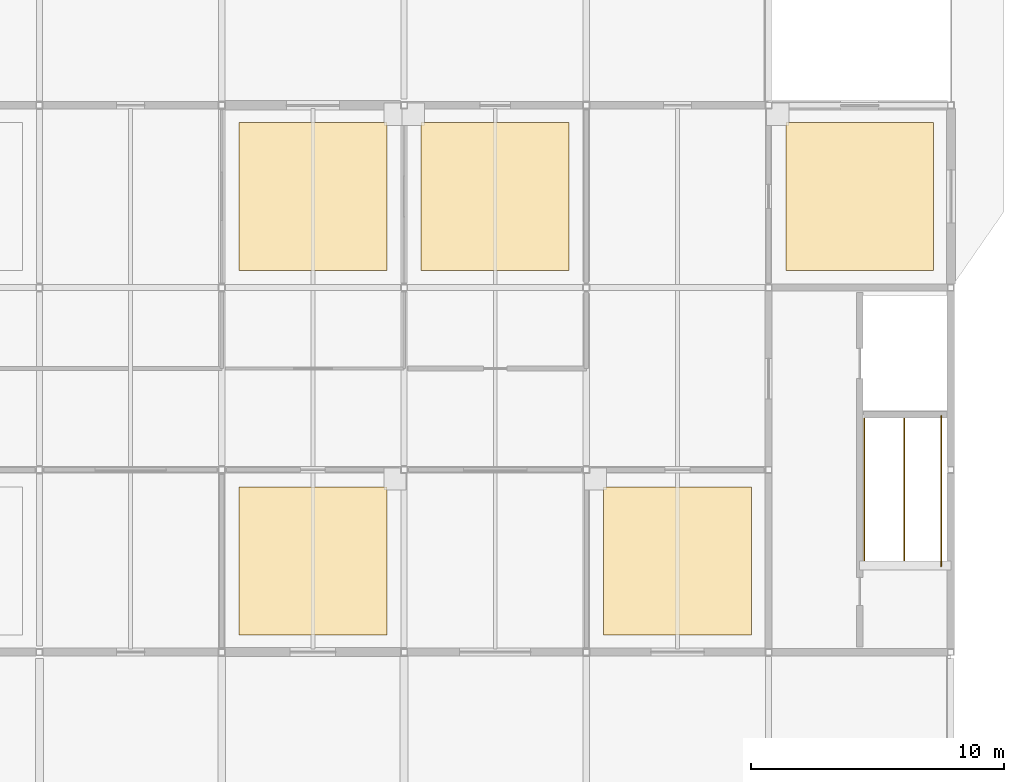
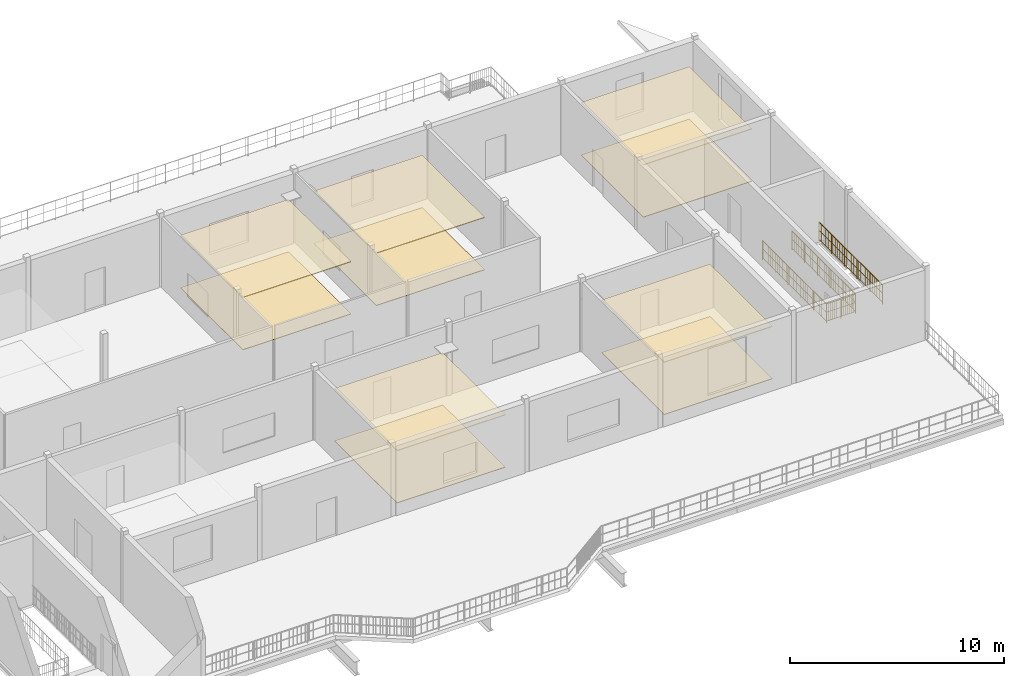
# One storey, part 17 of 18: 10 coverings, 2 railings.
"""IFC4 building model written with IfcOpenShell, lengths in metres."""

from ifc_helpers import new_model, si_unit, direction, frame, origin, origin_2d, place, context, subcontext, project, spatial, polyline, circle, outline, extrude, material, layer, layer_set, type_object, element, save


model = new_model("IFC4")

# Units and contexts
model_context = context("Model", 3, precision=1e-05, world=origin(), true_north=direction((0.0, 1.0)))
body_context = subcontext(model_context, "Body", "Model", "MODEL_VIEW")
ifc_project = project(units=[si_unit("LENGTHUNIT", "METRE"), si_unit("AREAUNIT", "SQUARE_METRE"), si_unit("VOLUMEUNIT", "CUBIC_METRE"), si_unit("PLANEANGLEUNIT", "RADIAN"), si_unit("MASSUNIT", "GRAM", prefix="KILO")], contexts=[model_context])

# Site, building, storey
site_placement = place(None, origin())
site = spatial("IfcSite", under=ifc_project, at=site_placement, CompositionType="ELEMENT")
building_placement = place(site_placement, origin())
building = spatial("IfcBuilding", under=site, at=building_placement, Name="Vesperath Aquatics Centre", CompositionType="ELEMENT")
storey_placement = place(building_placement, frame((0.0, 0.0, 23.39990234375)))
storey = spatial("IfcBuildingStorey", under=building, at=storey_placement, Name="L05", CompositionType="ELEMENT", Elevation=23.39990234375)

# Coverings
ifc_material_1 = material(Name="Perforated moisture-resistant acoustic mineral-fibre ceiling", Category="gypsum")
ifc_layer_1 = layer(ifc_material_1, 0.044921875)
ifc_layer_set_1 = layer_set([ifc_layer_1], Name="Perforated moisture-resistant acoustic mineral-fibre ceiling")
covering_type_1 = type_object("IfcCoveringType", Name="CV-CLG01", PredefinedType="CEILING", material=ifc_layer_set_1)
covering_1_placement = place(storey_placement, frame((0.0, 0.0, 2.97509765625)))
element("IfcCovering", 1, at=covering_1_placement, inside=storey, type_object=covering_type_1, Name="Acoustic Suspended Ceiling CLG1 L05_DOPING", PredefinedType="CEILING", context=body_context, shape_type="SweptSolid", body=[
    extrude(outline(polyline([(144.679931640625, 7.8798828125), (150.52001953125, 7.8798828125), (150.52001953125, 13.719970703125), (144.679931640625, 13.719970703125), (144.679931640625, 7.8798828125)])), origin(), (0.0, 0.0, 1.0), 0.044921875),
])
covering_2_placement = place(storey_placement, frame((0.0, 0.0, 2.97509765625)))
element("IfcCovering", 2, at=covering_2_placement, inside=storey, type_object=covering_type_1, Name="Acoustic Suspended Ceiling CLG1 L05_AWC", PredefinedType="CEILING", context=body_context, shape_type="SweptSolid", body=[
    extrude(outline(polyline([(159.080078125, 7.8798828125), (164.919921875, 7.8798828125), (164.919921875, 13.719970703125), (159.080078125, 13.719970703125), (159.080078125, 7.8798828125)])), origin(), (0.0, 0.0, 1.0), 0.044921875),
])
covering_3_placement = place(storey_placement, frame((0.0, 0.0, 2.97509765625)))
element("IfcCovering", 3, at=covering_3_placement, inside=storey, type_object=covering_type_1, Name="Acoustic Suspended Ceiling CLG1 L05_BOARD", PredefinedType="CEILING", context=body_context, shape_type="SweptSolid", body=[
    extrude(outline(polyline([(144.679931640625, 22.280029296875), (150.52001953125, 22.280029296875), (150.52001953125, 28.1201171875), (144.679931640625, 28.1201171875), (144.679931640625, 22.280029296875)])), origin(), (0.0, 0.0, 1.0), 0.044921875),
])
covering_4_placement = place(storey_placement, frame((0.0, 0.0, 2.97509765625)))
element("IfcCovering", 4, at=covering_4_placement, inside=storey, type_object=covering_type_1, Name="Acoustic Suspended Ceiling CLG1 L05_MWC", PredefinedType="CEILING", context=body_context, shape_type="SweptSolid", body=[
    extrude(outline(polyline([(151.8798828125, 22.280029296875), (157.719970703125, 22.280029296875), (157.719970703125, 28.1201171875), (151.8798828125, 28.1201171875), (151.8798828125, 22.280029296875)])), origin(), (0.0, 0.0, 1.0), 0.044921875),
])
covering_5_placement = place(storey_placement, frame((0.0, 0.0, 2.97509765625)))
element("IfcCovering", 5, at=covering_5_placement, inside=storey, type_object=covering_type_1, Name="Acoustic Suspended Ceiling CLG1 L05_FWC", PredefinedType="CEILING", context=body_context, shape_type="SweptSolid", body=[
    extrude(outline(polyline([(166.280029296875, 22.280029296875), (172.1201171875, 22.280029296875), (172.1201171875, 28.1201171875), (166.280029296875, 28.1201171875), (166.280029296875, 22.280029296875)])), origin(), (0.0, 0.0, 1.0), 0.044921875),
])
ifc_material_2 = material(Name="Slip-resistant vitrified ceramic and terrazzo flooring", Category="ceramic")
ifc_layer_2 = layer(ifc_material_2, 0.030029296875)
ifc_layer_set_2 = layer_set([ifc_layer_2], Name="Slip-resistant vitrified ceramic and terrazzo flooring")
covering_type_2 = type_object("IfcCoveringType", Name="CV-FLR01", PredefinedType="FLOORING", material=ifc_layer_set_2)
covering_6_placement = place(storey_placement, origin())
element("IfcCovering", 6, at=covering_6_placement, inside=storey, type_object=covering_type_2, Name="Slip-Resistant Floor Finish FLR1 L05_DOPING", PredefinedType="FLOORING", context=body_context, shape_type="SweptSolid", body=[
    extrude(outline(polyline([(144.679931640625, 7.8798828125), (150.52001953125, 7.8798828125), (150.52001953125, 13.719970703125), (144.679931640625, 13.719970703125), (144.679931640625, 7.8798828125)])), origin(), (0.0, 0.0, 1.0), 0.030029296875),
])
covering_7_placement = place(storey_placement, origin())
element("IfcCovering", 7, at=covering_7_placement, inside=storey, type_object=covering_type_2, Name="Slip-Resistant Floor Finish FLR1 L05_AWC", PredefinedType="FLOORING", context=body_context, shape_type="SweptSolid", body=[
    extrude(outline(polyline([(159.080078125, 7.8798828125), (164.919921875, 7.8798828125), (164.919921875, 13.719970703125), (159.080078125, 13.719970703125), (159.080078125, 7.8798828125)])), origin(), (0.0, 0.0, 1.0), 0.030029296875),
])
covering_8_placement = place(storey_placement, origin())
element("IfcCovering", 8, at=covering_8_placement, inside=storey, type_object=covering_type_2, Name="Slip-Resistant Floor Finish FLR1 L05_BOARD", PredefinedType="FLOORING", context=body_context, shape_type="SweptSolid", body=[
    extrude(outline(polyline([(144.679931640625, 22.280029296875), (150.52001953125, 22.280029296875), (150.52001953125, 28.1201171875), (144.679931640625, 28.1201171875), (144.679931640625, 22.280029296875)])), origin(), (0.0, 0.0, 1.0), 0.030029296875),
])
covering_9_placement = place(storey_placement, origin())
element("IfcCovering", 9, at=covering_9_placement, inside=storey, type_object=covering_type_2, Name="Slip-Resistant Floor Finish FLR1 L05_MWC", PredefinedType="FLOORING", context=body_context, shape_type="SweptSolid", body=[
    extrude(outline(polyline([(151.8798828125, 22.280029296875), (157.719970703125, 22.280029296875), (157.719970703125, 28.1201171875), (151.8798828125, 28.1201171875), (151.8798828125, 22.280029296875)])), origin(), (0.0, 0.0, 1.0), 0.030029296875),
])
covering_10_placement = place(storey_placement, origin())
element("IfcCovering", 10, at=covering_10_placement, inside=storey, type_object=covering_type_2, Name="Slip-Resistant Floor Finish FLR1 L05_FWC", PredefinedType="FLOORING", context=body_context, shape_type="SweptSolid", body=[
    extrude(outline(polyline([(166.280029296875, 22.280029296875), (172.1201171875, 22.280029296875), (172.1201171875, 28.1201171875), (166.280029296875, 28.1201171875), (166.280029296875, 22.280029296875)])), origin(), (0.0, 0.0, 1.0), 0.030029296875),
])

# Railings
ifc_material_3 = material(Name="Powder-coated galvanized steel safety guard", Category="steel")
railing_type = type_object("IfcRailingType", Name="RL-GRD01", PredefinedType="GUARDRAIL", material=ifc_material_3)
railing_1_placement = place(storey_placement, frame((169.3798828125, 16.5400390625, 0.0)))
element("IfcRailing", 11, at=railing_1_placement, inside=storey, type_object=railing_type, Name="Stair ST6 Top Well Guard GR02 L05", PredefinedType="GUARDRAIL", context=body_context, shape_type="SweptSolid", body=[
    extrude(circle(Radius=0.02392578125, at=origin_2d()), frame((0.0, 0.0, 1.0859375), z_axis=(0.0, -1.0, 0.0), x_axis=(1.0, 0.0, 0.0)), (0.0, 0.0, 1.0), 5.9599609375),
    extrude(circle(Radius=0.01611328125, at=origin_2d()), frame((0.0, 0.0, 0.10009765625), z_axis=(0.0, -1.0, 0.0), x_axis=(1.0, 0.0, 0.0)), (0.0, 0.0, 1.0), 5.9599609375),
    extrude(circle(Radius=0.01611328125, at=origin_2d()), frame((0.0, 0.0, 0.610595703125), z_axis=(0.0, -1.0, 0.0), x_axis=(1.0, 0.0, 0.0)), (0.0, 0.0, 1.0), 5.9599609375),
    extrude(circle(Radius=0.009033203125, at=origin_2d()), frame((0.0, -0.1083984375, 0.10009765625)), (0.0, 0.0, 1.0), 0.9619140625),
    extrude(circle(Radius=0.009033203125, at=origin_2d()), frame((0.0, -0.3251953125, 0.10009765625)), (0.0, 0.0, 1.0), 0.9619140625),
    extrude(circle(Radius=0.009033203125, at=origin_2d()), frame((0.0, -0.541748046875, 0.10009765625)), (0.0, 0.0, 1.0), 0.9619140625),
    extrude(circle(Radius=0.009033203125, at=origin_2d()), frame((0.0, -0.758544921875, 0.10009765625)), (0.0, 0.0, 1.0), 0.9619140625),
    extrude(circle(Radius=0.009033203125, at=origin_2d()), frame((0.0, -0.975341796875, 0.10009765625)), (0.0, 0.0, 1.0), 0.9619140625),
    extrude(circle(Radius=0.009033203125, at=origin_2d()), frame((0.0, -1.19189453125, 0.10009765625)), (0.0, 0.0, 1.0), 0.9619140625),
    extrude(circle(Radius=0.009033203125, at=origin_2d()), frame((0.0, -1.40869140625, 0.10009765625)), (0.0, 0.0, 1.0), 0.9619140625),
    extrude(circle(Radius=0.009033203125, at=origin_2d()), frame((0.0, -1.62548828125, 0.10009765625)), (0.0, 0.0, 1.0), 0.9619140625),
    extrude(circle(Radius=0.009033203125, at=origin_2d()), frame((0.0, -1.84228515625, 0.10009765625)), (0.0, 0.0, 1.0), 0.9619140625),
    extrude(circle(Radius=0.009033203125, at=origin_2d()), frame((0.0, -2.058837890625, 0.10009765625)), (0.0, 0.0, 1.0), 0.9619140625),
    extrude(circle(Radius=0.009033203125, at=origin_2d()), frame((0.0, -2.275634765625, 0.10009765625)), (0.0, 0.0, 1.0), 0.9619140625),
    extrude(circle(Radius=0.009033203125, at=origin_2d()), frame((0.0, -2.492431640625, 0.10009765625)), (0.0, 0.0, 1.0), 0.9619140625),
    extrude(circle(Radius=0.009033203125, at=origin_2d()), frame((0.0, -2.708984375, 0.10009765625)), (0.0, 0.0, 1.0), 0.9619140625),
    extrude(circle(Radius=0.009033203125, at=origin_2d()), frame((0.0, -2.92578125, 0.10009765625)), (0.0, 0.0, 1.0), 0.9619140625),
    extrude(circle(Radius=0.009033203125, at=origin_2d()), frame((0.0, -3.142578125, 0.10009765625)), (0.0, 0.0, 1.0), 0.9619140625),
    extrude(circle(Radius=0.009033203125, at=origin_2d()), frame((0.0, -3.359130859375, 0.10009765625)), (0.0, 0.0, 1.0), 0.9619140625),
    extrude(circle(Radius=0.009033203125, at=origin_2d()), frame((0.0, -3.575927734375, 0.10009765625)), (0.0, 0.0, 1.0), 0.9619140625),
    extrude(circle(Radius=0.009033203125, at=origin_2d()), frame((0.0, -3.792724609375, 0.10009765625)), (0.0, 0.0, 1.0), 0.9619140625),
    extrude(circle(Radius=0.009033203125, at=origin_2d()), frame((0.0, -4.009521484375, 0.10009765625)), (0.0, 0.0, 1.0), 0.9619140625),
    extrude(circle(Radius=0.009033203125, at=origin_2d()), frame((0.0, -4.22607421875, 0.10009765625)), (0.0, 0.0, 1.0), 0.9619140625),
    extrude(circle(Radius=0.009033203125, at=origin_2d()), frame((0.0, -4.44287109375, 0.10009765625)), (0.0, 0.0, 1.0), 0.9619140625),
    extrude(circle(Radius=0.009033203125, at=origin_2d()), frame((0.0, -4.65966796875, 0.10009765625)), (0.0, 0.0, 1.0), 0.9619140625),
    extrude(circle(Radius=0.009033203125, at=origin_2d()), frame((0.0, -4.876220703125, 0.10009765625)), (0.0, 0.0, 1.0), 0.9619140625),
    extrude(circle(Radius=0.009033203125, at=origin_2d()), frame((0.0, -5.093017578125, 0.10009765625)), (0.0, 0.0, 1.0), 0.9619140625),
    extrude(circle(Radius=0.009033203125, at=origin_2d()), frame((0.0, -5.309814453125, 0.10009765625)), (0.0, 0.0, 1.0), 0.9619140625),
    extrude(circle(Radius=0.009033203125, at=origin_2d()), frame((0.0, -5.526611328125, 0.10009765625)), (0.0, 0.0, 1.0), 0.9619140625),
    extrude(circle(Radius=0.009033203125, at=origin_2d()), frame((0.0, -5.7431640625, 0.10009765625)), (0.0, 0.0, 1.0), 0.9619140625),
    extrude(circle(Radius=0.02392578125, at=origin_2d()), frame((0.0, -5.9599609375, 1.0859375), z_axis=(1.0, 0.0, 0.0), x_axis=(0.0, 1.0, 0.0)), (0.0, 0.0, 1.0), 1.580078125),
    extrude(circle(Radius=0.01611328125, at=origin_2d()), frame((0.0, -5.9599609375, 0.10009765625), z_axis=(1.0, 0.0, 0.0), x_axis=(0.0, 1.0, 0.0)), (0.0, 0.0, 1.0), 1.580078125),
    extrude(circle(Radius=0.01611328125, at=origin_2d()), frame((0.0, -5.9599609375, 0.610595703125), z_axis=(1.0, 0.0, 0.0), x_axis=(0.0, 1.0, 0.0)), (0.0, 0.0, 1.0), 1.580078125),
    extrude(circle(Radius=0.009033203125, at=origin_2d()), frame((0.105224609375, -5.9599609375, 0.10009765625)), (0.0, 0.0, 1.0), 0.9619140625),
    extrude(circle(Radius=0.009033203125, at=origin_2d()), frame((0.210693359375, -5.9599609375, 0.10009765625)), (0.0, 0.0, 1.0), 0.9619140625),
    extrude(circle(Radius=0.009033203125, at=origin_2d()), frame((0.31591796875, -5.9599609375, 0.10009765625)), (0.0, 0.0, 1.0), 0.9619140625),
    extrude(circle(Radius=0.009033203125, at=origin_2d()), frame((0.42138671875, -5.9599609375, 0.10009765625)), (0.0, 0.0, 1.0), 0.9619140625),
    extrude(circle(Radius=0.009033203125, at=origin_2d()), frame((0.526611328125, -5.9599609375, 0.10009765625)), (0.0, 0.0, 1.0), 0.9619140625),
    extrude(circle(Radius=0.009033203125, at=origin_2d()), frame((0.632080078125, -5.9599609375, 0.10009765625)), (0.0, 0.0, 1.0), 0.9619140625),
    extrude(circle(Radius=0.009033203125, at=origin_2d()), frame((0.7373046875, -5.9599609375, 0.10009765625)), (0.0, 0.0, 1.0), 0.9619140625),
    extrude(circle(Radius=0.009033203125, at=origin_2d()), frame((0.8427734375, -5.9599609375, 0.10009765625)), (0.0, 0.0, 1.0), 0.9619140625),
    extrude(circle(Radius=0.009033203125, at=origin_2d()), frame((0.947998046875, -5.9599609375, 0.10009765625)), (0.0, 0.0, 1.0), 0.9619140625),
    extrude(circle(Radius=0.009033203125, at=origin_2d()), frame((1.053466796875, -5.9599609375, 0.10009765625)), (0.0, 0.0, 1.0), 0.9619140625),
    extrude(circle(Radius=0.009033203125, at=origin_2d()), frame((1.15869140625, -5.9599609375, 0.10009765625)), (0.0, 0.0, 1.0), 0.9619140625),
    extrude(circle(Radius=0.009033203125, at=origin_2d()), frame((1.26416015625, -5.9599609375, 0.10009765625)), (0.0, 0.0, 1.0), 0.9619140625),
    extrude(circle(Radius=0.009033203125, at=origin_2d()), frame((1.369384765625, -5.9599609375, 0.10009765625)), (0.0, 0.0, 1.0), 0.9619140625),
    extrude(circle(Radius=0.009033203125, at=origin_2d()), frame((1.474853515625, -5.9599609375, 0.10009765625)), (0.0, 0.0, 1.0), 0.9619140625),
    extrude(circle(Radius=0.02392578125, at=origin_2d()), frame((1.580078125, -5.9599609375, 1.0859375), z_axis=(0.0, 1.0, 0.0), x_axis=(-1.0, 0.0, 0.0)), (0.0, 0.0, 1.0), 5.9599609375),
    extrude(circle(Radius=0.01611328125, at=origin_2d()), frame((1.580078125, -5.9599609375, 0.10009765625), z_axis=(0.0, 1.0, 0.0), x_axis=(-1.0, 0.0, 0.0)), (0.0, 0.0, 1.0), 5.9599609375),
    extrude(circle(Radius=0.01611328125, at=origin_2d()), frame((1.580078125, -5.9599609375, 0.610595703125), z_axis=(0.0, 1.0, 0.0), x_axis=(-1.0, 0.0, 0.0)), (0.0, 0.0, 1.0), 5.9599609375),
    extrude(circle(Radius=0.009033203125, at=origin_2d()), frame((1.580078125, -5.8515625, 0.10009765625)), (0.0, 0.0, 1.0), 0.9619140625),
    extrude(circle(Radius=0.009033203125, at=origin_2d()), frame((1.580078125, -5.634765625, 0.10009765625)), (0.0, 0.0, 1.0), 0.9619140625),
    extrude(circle(Radius=0.009033203125, at=origin_2d()), frame((1.580078125, -5.418212890625, 0.10009765625)), (0.0, 0.0, 1.0), 0.9619140625),
    extrude(circle(Radius=0.009033203125, at=origin_2d()), frame((1.580078125, -5.201416015625, 0.10009765625)), (0.0, 0.0, 1.0), 0.9619140625),
    extrude(circle(Radius=0.009033203125, at=origin_2d()), frame((1.580078125, -4.984619140625, 0.10009765625)), (0.0, 0.0, 1.0), 0.9619140625),
    extrude(circle(Radius=0.009033203125, at=origin_2d()), frame((1.580078125, -4.76806640625, 0.10009765625)), (0.0, 0.0, 1.0), 0.9619140625),
    extrude(circle(Radius=0.009033203125, at=origin_2d()), frame((1.580078125, -4.55126953125, 0.10009765625)), (0.0, 0.0, 1.0), 0.9619140625),
    extrude(circle(Radius=0.009033203125, at=origin_2d()), frame((1.580078125, -4.33447265625, 0.10009765625)), (0.0, 0.0, 1.0), 0.9619140625),
    extrude(circle(Radius=0.009033203125, at=origin_2d()), frame((1.580078125, -4.11767578125, 0.10009765625)), (0.0, 0.0, 1.0), 0.9619140625),
    extrude(circle(Radius=0.009033203125, at=origin_2d()), frame((1.580078125, -3.901123046875, 0.10009765625)), (0.0, 0.0, 1.0), 0.9619140625),
    extrude(circle(Radius=0.009033203125, at=origin_2d()), frame((1.580078125, -3.684326171875, 0.10009765625)), (0.0, 0.0, 1.0), 0.9619140625),
    extrude(circle(Radius=0.009033203125, at=origin_2d()), frame((1.580078125, -3.467529296875, 0.10009765625)), (0.0, 0.0, 1.0), 0.9619140625),
    extrude(circle(Radius=0.009033203125, at=origin_2d()), frame((1.580078125, -3.2509765625, 0.10009765625)), (0.0, 0.0, 1.0), 0.9619140625),
    extrude(circle(Radius=0.009033203125, at=origin_2d()), frame((1.580078125, -3.0341796875, 0.10009765625)), (0.0, 0.0, 1.0), 0.9619140625),
    extrude(circle(Radius=0.009033203125, at=origin_2d()), frame((1.580078125, -2.8173828125, 0.10009765625)), (0.0, 0.0, 1.0), 0.9619140625),
    extrude(circle(Radius=0.009033203125, at=origin_2d()), frame((1.580078125, -2.600830078125, 0.10009765625)), (0.0, 0.0, 1.0), 0.9619140625),
    extrude(circle(Radius=0.009033203125, at=origin_2d()), frame((1.580078125, -2.384033203125, 0.10009765625)), (0.0, 0.0, 1.0), 0.9619140625),
    extrude(circle(Radius=0.009033203125, at=origin_2d()), frame((1.580078125, -2.167236328125, 0.10009765625)), (0.0, 0.0, 1.0), 0.9619140625),
    extrude(circle(Radius=0.009033203125, at=origin_2d()), frame((1.580078125, -1.950439453125, 0.10009765625)), (0.0, 0.0, 1.0), 0.9619140625),
    extrude(circle(Radius=0.009033203125, at=origin_2d()), frame((1.580078125, -1.73388671875, 0.10009765625)), (0.0, 0.0, 1.0), 0.9619140625),
    extrude(circle(Radius=0.009033203125, at=origin_2d()), frame((1.580078125, -1.51708984375, 0.10009765625)), (0.0, 0.0, 1.0), 0.9619140625),
    extrude(circle(Radius=0.009033203125, at=origin_2d()), frame((1.580078125, -1.30029296875, 0.10009765625)), (0.0, 0.0, 1.0), 0.9619140625),
    extrude(circle(Radius=0.009033203125, at=origin_2d()), frame((1.580078125, -1.083740234375, 0.10009765625)), (0.0, 0.0, 1.0), 0.9619140625),
    extrude(circle(Radius=0.009033203125, at=origin_2d()), frame((1.580078125, -0.866943359375, 0.10009765625)), (0.0, 0.0, 1.0), 0.9619140625),
    extrude(circle(Radius=0.009033203125, at=origin_2d()), frame((1.580078125, -0.650146484375, 0.10009765625)), (0.0, 0.0, 1.0), 0.9619140625),
    extrude(circle(Radius=0.009033203125, at=origin_2d()), frame((1.580078125, -0.433349609375, 0.10009765625)), (0.0, 0.0, 1.0), 0.9619140625),
    extrude(circle(Radius=0.009033203125, at=origin_2d()), frame((1.580078125, -0.216796875, 0.10009765625)), (0.0, 0.0, 1.0), 0.9619140625),
    extrude(circle(Radius=0.02197265625, at=origin_2d()), origin(), (0.0, 0.0, 1.0), 1.0859375),
    extrude(circle(Radius=0.02197265625, at=origin_2d()), frame((0.0, -1.19189453125, 0.0)), (0.0, 0.0, 1.0), 1.0859375),
    extrude(circle(Radius=0.02197265625, at=origin_2d()), frame((0.0, -2.384033203125, 0.0)), (0.0, 0.0, 1.0), 1.0859375),
    extrude(circle(Radius=0.02197265625, at=origin_2d()), frame((0.0, -3.575927734375, 0.0)), (0.0, 0.0, 1.0), 1.0859375),
    extrude(circle(Radius=0.02197265625, at=origin_2d()), frame((0.0, -4.76806640625, 0.0)), (0.0, 0.0, 1.0), 1.0859375),
    extrude(circle(Radius=0.02197265625, at=origin_2d()), frame((0.0, -5.9599609375, 0.0)), (0.0, 0.0, 1.0), 1.0859375),
    extrude(circle(Radius=0.02197265625, at=origin_2d()), frame((0.7900390625, -5.9599609375, 0.0)), (0.0, 0.0, 1.0), 1.0859375),
    extrude(circle(Radius=0.02197265625, at=origin_2d()), frame((1.580078125, -5.9599609375, 0.0)), (0.0, 0.0, 1.0), 1.0859375),
    extrude(circle(Radius=0.02197265625, at=origin_2d()), frame((1.580078125, -4.76806640625, 0.0)), (0.0, 0.0, 1.0), 1.0859375),
    extrude(circle(Radius=0.02197265625, at=origin_2d()), frame((1.580078125, -3.575927734375, 0.0)), (0.0, 0.0, 1.0), 1.0859375),
    extrude(circle(Radius=0.02197265625, at=origin_2d()), frame((1.580078125, -2.384033203125, 0.0)), (0.0, 0.0, 1.0), 1.0859375),
    extrude(circle(Radius=0.02197265625, at=origin_2d()), frame((1.580078125, -1.19189453125, 0.0)), (0.0, 0.0, 1.0), 1.0859375),
    extrude(circle(Radius=0.02197265625, at=origin_2d()), frame((1.580078125, 0.0, 0.0)), (0.0, 0.0, 1.0), 1.0859375),
])
railing_2_placement = place(storey_placement, frame((172.419921875, 10.580078125, 0.0)))
element("IfcRailing", 12, at=railing_2_placement, inside=storey, type_object=railing_type, Name="Stair ST6 Top Side Guard GR02 L05", PredefinedType="GUARDRAIL", context=body_context, shape_type="SweptSolid", body=[
    extrude(circle(Radius=0.02392578125, at=origin_2d()), frame((0.0, 0.0, 1.0859375), z_axis=(0.0, 1.0, 0.0), x_axis=(-1.0, 0.0, 0.0)), (0.0, 0.0, 1.0), 5.9599609375),
    extrude(circle(Radius=0.01611328125, at=origin_2d()), frame((0.0, 0.0, 0.10009765625), z_axis=(0.0, 1.0, 0.0), x_axis=(-1.0, 0.0, 0.0)), (0.0, 0.0, 1.0), 5.9599609375),
    extrude(circle(Radius=0.01611328125, at=origin_2d()), frame((0.0, 0.0, 0.610595703125), z_axis=(0.0, 1.0, 0.0), x_axis=(-1.0, 0.0, 0.0)), (0.0, 0.0, 1.0), 5.9599609375),
    extrude(circle(Radius=0.009033203125, at=origin_2d()), frame((0.0, 0.1083984375, 0.10009765625)), (0.0, 0.0, 1.0), 0.9619140625),
    extrude(circle(Radius=0.009033203125, at=origin_2d()), frame((0.0, 0.3251953125, 0.10009765625)), (0.0, 0.0, 1.0), 0.9619140625),
    extrude(circle(Radius=0.009033203125, at=origin_2d()), frame((0.0, 0.541748046875, 0.10009765625)), (0.0, 0.0, 1.0), 0.9619140625),
    extrude(circle(Radius=0.009033203125, at=origin_2d()), frame((0.0, 0.758544921875, 0.10009765625)), (0.0, 0.0, 1.0), 0.9619140625),
    extrude(circle(Radius=0.009033203125, at=origin_2d()), frame((0.0, 0.975341796875, 0.10009765625)), (0.0, 0.0, 1.0), 0.9619140625),
    extrude(circle(Radius=0.009033203125, at=origin_2d()), frame((0.0, 1.19189453125, 0.10009765625)), (0.0, 0.0, 1.0), 0.9619140625),
    extrude(circle(Radius=0.009033203125, at=origin_2d()), frame((0.0, 1.40869140625, 0.10009765625)), (0.0, 0.0, 1.0), 0.9619140625),
    extrude(circle(Radius=0.009033203125, at=origin_2d()), frame((0.0, 1.62548828125, 0.10009765625)), (0.0, 0.0, 1.0), 0.9619140625),
    extrude(circle(Radius=0.009033203125, at=origin_2d()), frame((0.0, 1.84228515625, 0.10009765625)), (0.0, 0.0, 1.0), 0.9619140625),
    extrude(circle(Radius=0.009033203125, at=origin_2d()), frame((0.0, 2.058837890625, 0.10009765625)), (0.0, 0.0, 1.0), 0.9619140625),
    extrude(circle(Radius=0.009033203125, at=origin_2d()), frame((0.0, 2.275634765625, 0.10009765625)), (0.0, 0.0, 1.0), 0.9619140625),
    extrude(circle(Radius=0.009033203125, at=origin_2d()), frame((0.0, 2.492431640625, 0.10009765625)), (0.0, 0.0, 1.0), 0.9619140625),
    extrude(circle(Radius=0.009033203125, at=origin_2d()), frame((0.0, 2.708984375, 0.10009765625)), (0.0, 0.0, 1.0), 0.9619140625),
    extrude(circle(Radius=0.009033203125, at=origin_2d()), frame((0.0, 2.92578125, 0.10009765625)), (0.0, 0.0, 1.0), 0.9619140625),
    extrude(circle(Radius=0.009033203125, at=origin_2d()), frame((0.0, 3.142578125, 0.10009765625)), (0.0, 0.0, 1.0), 0.9619140625),
    extrude(circle(Radius=0.009033203125, at=origin_2d()), frame((0.0, 3.359130859375, 0.10009765625)), (0.0, 0.0, 1.0), 0.9619140625),
    extrude(circle(Radius=0.009033203125, at=origin_2d()), frame((0.0, 3.575927734375, 0.10009765625)), (0.0, 0.0, 1.0), 0.9619140625),
    extrude(circle(Radius=0.009033203125, at=origin_2d()), frame((0.0, 3.792724609375, 0.10009765625)), (0.0, 0.0, 1.0), 0.9619140625),
    extrude(circle(Radius=0.009033203125, at=origin_2d()), frame((0.0, 4.009521484375, 0.10009765625)), (0.0, 0.0, 1.0), 0.9619140625),
    extrude(circle(Radius=0.009033203125, at=origin_2d()), frame((0.0, 4.22607421875, 0.10009765625)), (0.0, 0.0, 1.0), 0.9619140625),
    extrude(circle(Radius=0.009033203125, at=origin_2d()), frame((0.0, 4.44287109375, 0.10009765625)), (0.0, 0.0, 1.0), 0.9619140625),
    extrude(circle(Radius=0.009033203125, at=origin_2d()), frame((0.0, 4.65966796875, 0.10009765625)), (0.0, 0.0, 1.0), 0.9619140625),
    extrude(circle(Radius=0.009033203125, at=origin_2d()), frame((0.0, 4.876220703125, 0.10009765625)), (0.0, 0.0, 1.0), 0.9619140625),
    extrude(circle(Radius=0.009033203125, at=origin_2d()), frame((0.0, 5.093017578125, 0.10009765625)), (0.0, 0.0, 1.0), 0.9619140625),
    extrude(circle(Radius=0.009033203125, at=origin_2d()), frame((0.0, 5.309814453125, 0.10009765625)), (0.0, 0.0, 1.0), 0.9619140625),
    extrude(circle(Radius=0.009033203125, at=origin_2d()), frame((0.0, 5.526611328125, 0.10009765625)), (0.0, 0.0, 1.0), 0.9619140625),
    extrude(circle(Radius=0.009033203125, at=origin_2d()), frame((0.0, 5.7431640625, 0.10009765625)), (0.0, 0.0, 1.0), 0.9619140625),
    extrude(circle(Radius=0.02197265625, at=origin_2d()), origin(), (0.0, 0.0, 1.0), 1.0859375),
    extrude(circle(Radius=0.02197265625, at=origin_2d()), frame((0.0, 1.19189453125, 0.0)), (0.0, 0.0, 1.0), 1.0859375),
    extrude(circle(Radius=0.02197265625, at=origin_2d()), frame((0.0, 2.384033203125, 0.0)), (0.0, 0.0, 1.0), 1.0859375),
    extrude(circle(Radius=0.02197265625, at=origin_2d()), frame((0.0, 3.575927734375, 0.0)), (0.0, 0.0, 1.0), 1.0859375),
    extrude(circle(Radius=0.02197265625, at=origin_2d()), frame((0.0, 4.76806640625, 0.0)), (0.0, 0.0, 1.0), 1.0859375),
    extrude(circle(Radius=0.02197265625, at=origin_2d()), frame((0.0, 5.9599609375, 0.0)), (0.0, 0.0, 1.0), 1.0859375),
])

save(model, "model.ifc")
